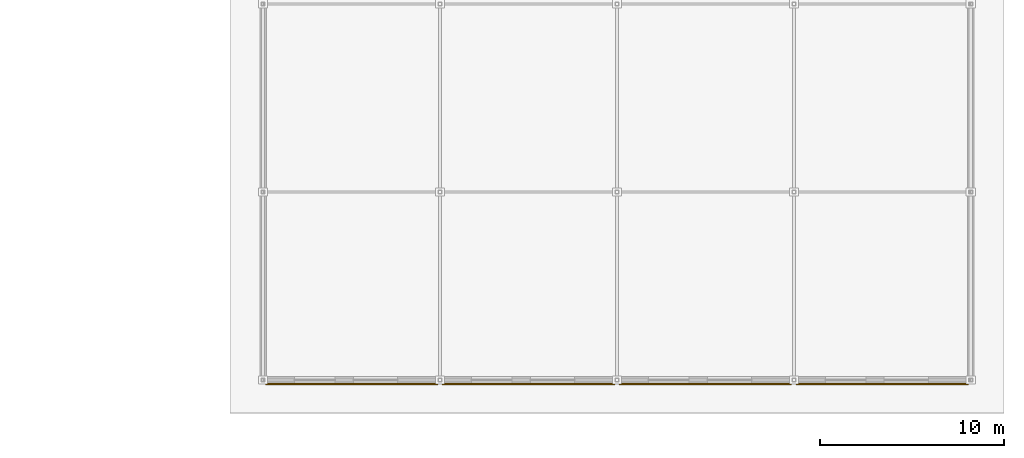
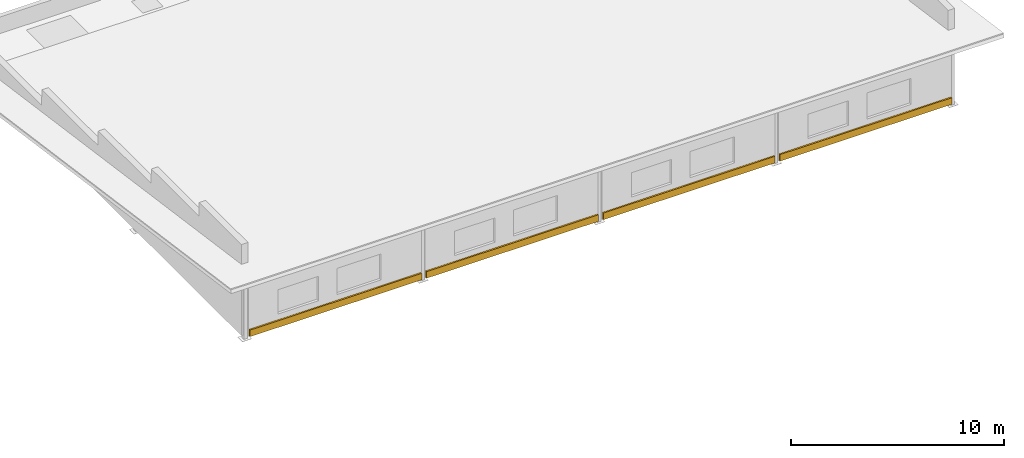
# One storey, part 70 of 70: 4 coverings.
"""IFC4 building model written with IfcOpenShell, lengths in metres."""

from ifc_helpers import new_model, si_unit, direction, frame, origin, origin_2d, place, context, subcontext, project, spatial, rectangle, extrude, material, layer, layer_set, type_object, element, save


model = new_model("IFC4")

# Units and contexts
model_context = context("Model", 3, precision=1e-05, world=origin(), true_north=direction((0.0, 1.0)))
body_context = subcontext(model_context, "Body", "Model", "MODEL_VIEW")
ifc_project = project(units=[si_unit("LENGTHUNIT", "METRE"), si_unit("AREAUNIT", "SQUARE_METRE"), si_unit("VOLUMEUNIT", "CUBIC_METRE"), si_unit("PLANEANGLEUNIT", "RADIAN"), si_unit("MASSUNIT", "GRAM", prefix="KILO")], contexts=[model_context])

# Site, building, storey
site_placement = place(None, origin())
site = spatial("IfcSite", under=ifc_project, at=site_placement, CompositionType="ELEMENT")
building_placement = place(site_placement, origin())
building = spatial("IfcBuilding", under=site, at=building_placement, Name="Vondelvale Polytechnic", CompositionType="ELEMENT")
storey_placement = place(building_placement, frame((0.0, 0.0, 22.199951171875)))
storey = spatial("IfcBuildingStorey", under=building, at=storey_placement, Name="L05", CompositionType="ELEMENT", Elevation=22.199951171875)

# Coverings
ifc_material = material(Name="Amsterdam School iron-spot clinker clay brickwork", Category="masonry")
ifc_layer = layer(ifc_material, 0.090087890625)
ifc_layer_set = layer_set([ifc_layer], Name="COV-BRICK-RELIEF")
covering_type = type_object("IfcCoveringType", Name="COV-BRICK-RELIEF", PredefinedType="CLADDING", material=ifc_layer_set)
for number, where, z_axis, x_axis, name in (
    (1, (139.199951171875, -0.216064453125, 0.0), (0.0, 0.0, 1.0), (-1.0, 0.0, 0.0), "L05 exterior corbelled masonry relief band"),
    (2, (148.800048828125, -0.216064453125, 0.0), (0.0, 0.0, 1.0), (-1.0, 0.0, 0.0), "L05 exterior corbelled masonry relief band"),
    (3, (158.39990234375, -0.216064453125, 0.0), (0.0, 0.0, 1.0), (-1.0, 0.0, 0.0), "L05 exterior corbelled masonry relief band"),
    (4, (168.0, -0.216064453125, 0.0), (0.0, 0.0, 1.0), (-1.0, 0.0, 0.0), "L05 exterior corbelled masonry relief band"),
):
    element("IfcCovering", number, at=place(storey_placement, frame(where, z_axis=z_axis, x_axis=x_axis)), inside=storey, type_object=covering_type, Name=name, PredefinedType="CLADDING", context=body_context, shape_type="SweptSolid", body=[
        extrude(rectangle(XDim=9.337890625, YDim=0.090087890625, at=origin_2d()), origin(), (0.0, 0.0, 1.0), 0.3798828125),
    ])

save(model, "model.ifc")
